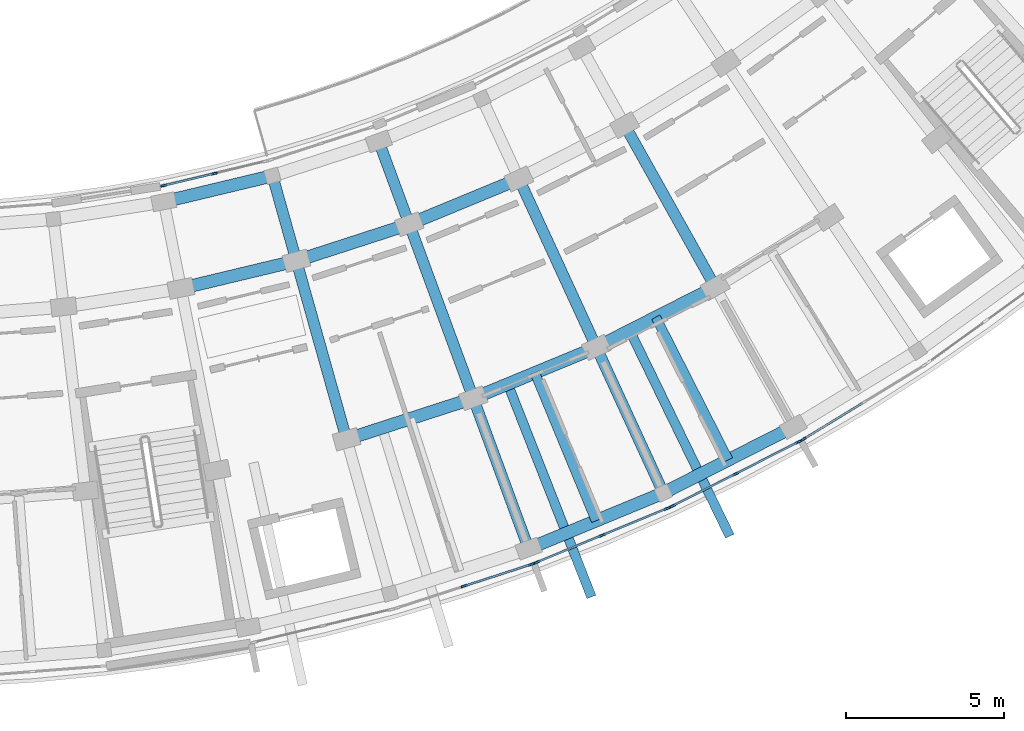
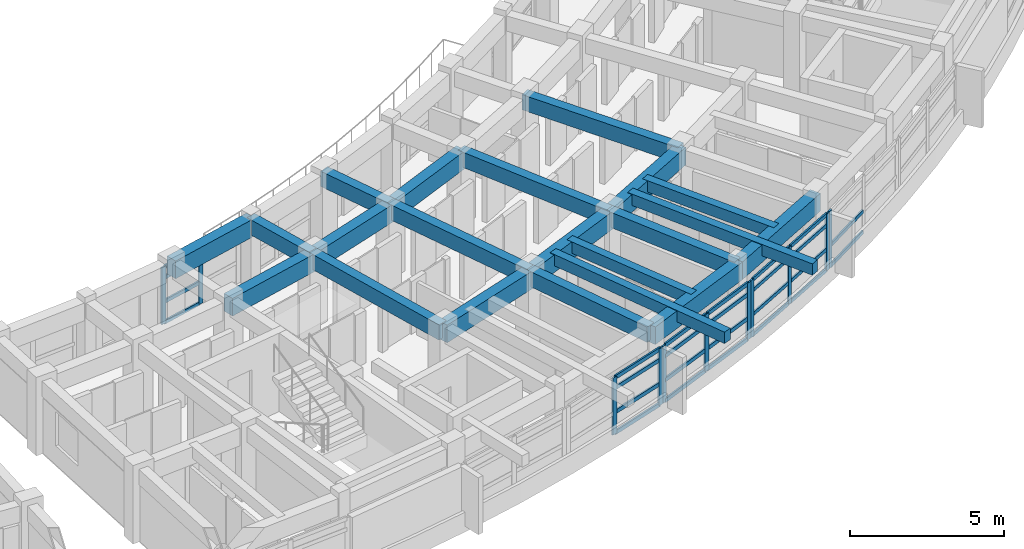
# One storey, part 17 of 56: 37 members, 21 beams, 5 elements without a shape of their own.
"""IFC4 building model written with IfcOpenShell, lengths in metres."""

from ifc_helpers import new_model, si_unit, direction, frame, origin, origin_2d, place, context, subcontext, project, spatial, rectangle, extrude, material, material_profile, profile_set, type_object, element, aggregate, save


model = new_model("IFC4")

# Units and contexts
model_context = context("Model", 3, precision=1e-05, world=origin(), true_north=direction((0.0, 1.0)))
body_context = subcontext(model_context, "Body", "Model", "MODEL_VIEW")
ifc_project = project(units=[si_unit("LENGTHUNIT", "METRE"), si_unit("AREAUNIT", "SQUARE_METRE"), si_unit("VOLUMEUNIT", "CUBIC_METRE"), si_unit("PLANEANGLEUNIT", "RADIAN"), si_unit("MASSUNIT", "GRAM", prefix="KILO")], contexts=[model_context])

# Site, building, storey
site_placement = place(None, origin())
site = spatial("IfcSite", under=ifc_project, at=site_placement, CompositionType="ELEMENT")
building_placement = place(site_placement, origin())
building = spatial("IfcBuilding", under=site, at=building_placement, Name="Zimvara Arc Housing Community", CompositionType="ELEMENT")
storey_placement = place(building_placement, frame((0.0, 0.0, 17.39990234375)))
storey = spatial("IfcBuildingStorey", under=building, at=storey_placement, Name="L05", CompositionType="ELEMENT", Elevation=17.39990234375)

# Beams
ifc_material_1 = material(Name="Concrete C40/50", Category="concrete")
ifc_material_profile_1 = material_profile(ifc_material_1, rectangle(XDim=0.300048828125, YDim=0.449951171875, at=origin_2d()), Name="RC 300x450")
ifc_profile_set_1 = profile_set([ifc_material_profile_1], Name="Concrete C40/50")
beam_type_1 = type_object("IfcBeamType", Name="BM-RC-300x450", PredefinedType="JOIST", material=ifc_profile_set_1)
beam_1_placement = place(storey_placement, frame((146.509033203125, 60.17578125, 2.64501953125), z_axis=(0.381881623909, -0.924211244966, 0.0), x_axis=(0.924211244966, 0.381881623909, 0.0)))
element("IfcBeam", 1, at=beam_1_placement, inside=storey, type_object=beam_type_1, Name="bm:blkD:L05:joist:b4", PredefinedType="JOIST", context=body_context, shape_type="SweptSolid", body=[
    extrude(rectangle(XDim=0.300048828125, YDim=0.449951171875, at=origin_2d()), origin(), (0.0, 0.0, 1.0), 5.076171875),
])
beam_2_placement = place(storey_placement, frame((150.343994140625, 61.939453125, 2.64501953125), z_axis=(0.453225300679, -0.891395998883, 0.0), x_axis=(0.891395998883, 0.453225300679, 0.0)))
element("IfcBeam", 2, at=beam_2_placement, inside=storey, type_object=beam_type_1, Name="bm:blkD:L05:joist:b5", PredefinedType="JOIST", context=body_context, shape_type="SweptSolid", body=[
    extrude(rectangle(XDim=0.300048828125, YDim=0.449951171875, at=origin_2d()), origin(), (0.0, 0.0, 1.0), 5.075927734375),
])
beam_3_placement = place(storey_placement, frame((145.662841796875, 59.789794921875, 2.6650390625), z_axis=(0.365839634119, -0.930677904598, 0.0), x_axis=(0.930677904598, 0.365839634119, 0.0)))
element("IfcBeam", 3, at=beam_3_placement, inside=storey, type_object=beam_type_1, Name="bm:blkD:L05:cant_out:b4", PredefinedType="JOIST", context=body_context, shape_type="SweptSolid", body=[
    extrude(rectangle(XDim=0.300048828125, YDim=0.449951171875, at=origin_2d()), origin(), (0.0, 0.0, 1.0), 7.219970703125),
])
beam_4_placement = place(storey_placement, frame((149.530517578125, 61.488525390625, 2.6650390625), z_axis=(0.437747988068, -0.89909771379, 0.0), x_axis=(0.89909771379, 0.437747988068, 0.0)))
element("IfcBeam", 4, at=beam_4_placement, inside=storey, type_object=beam_type_1, Name="bm:blkD:L05:cant_out:b5", PredefinedType="JOIST", context=body_context, shape_type="SweptSolid", body=[
    extrude(rectangle(XDim=0.300048828125, YDim=0.449951171875, at=origin_2d()), origin(), (0.0, 0.0, 1.0), 7.22021484375),
])
ifc_material_2 = material(Name="Concrete C40/50", Category="concrete")
ifc_material_profile_2 = material_profile(ifc_material_2, rectangle(XDim=0.35009765625, YDim=0.60009765625, at=origin_2d()), Name="RC 350x600")
ifc_profile_set_2 = profile_set([ifc_material_profile_2], Name="Concrete C40/50")
beam_type_2 = type_object("IfcBeamType", Name="BM-RC-350x600", PredefinedType="BEAM", material=ifc_profile_set_2)
beam_5_placement = place(storey_placement, frame((138.189453125, 66.42333984375, 2.570068359375), z_axis=(0.270642050381, -0.962680050986, 0.0), x_axis=(0.962680050986, 0.270642050381, 0.0)))
element("IfcBeam", 5, at=beam_5_placement, inside=storey, type_object=beam_type_2, Name="bm:blkD:L05:rad:b3:r01", PredefinedType="BEAM", context=body_context, shape_type="SweptSolid", body=[
    extrude(rectangle(XDim=0.35009765625, YDim=0.60009765625, at=origin_2d()), origin(), (0.0, 0.0, 1.0), 2.800048828125),
])
beam_6_placement = place(storey_placement, frame((138.947265625, 63.727783203125, 2.570068359375), z_axis=(0.270589260785, -0.962694890372, 0.0), x_axis=(0.962694890372, 0.270589260785, 0.0)))
element("IfcBeam", 6, at=beam_6_placement, inside=storey, type_object=beam_type_2, Name="bm:blkD:L05:rad:b3:r12", PredefinedType="BEAM", context=body_context, shape_type="SweptSolid", body=[
    extrude(rectangle(XDim=0.35009765625, YDim=0.60009765625, at=origin_2d()), origin(), (0.0, 0.0, 1.0), 5.8798828125),
])
beam_7_placement = place(storey_placement, frame((141.559814453125, 67.51513671875, 2.570068359375), z_axis=(0.345297205079, -0.93849338845, 0.0), x_axis=(0.93849338845, 0.345297205079, 0.0)))
element("IfcBeam", 7, at=beam_7_placement, inside=storey, type_object=beam_type_2, Name="bm:blkD:L05:rad:b4:r01", PredefinedType="BEAM", context=body_context, shape_type="SweptSolid", body=[
    extrude(rectangle(XDim=0.35009765625, YDim=0.60009765625, at=origin_2d()), origin(), (0.0, 0.0, 1.0), 2.7998046875),
])
beam_8_placement = place(storey_placement, frame((142.526611328125, 64.887451171875, 2.570068359375), z_axis=(0.345324356241, -0.938483398354, 0.0), x_axis=(0.938483398354, 0.345324356241, 0.0)))
element("IfcBeam", 8, at=beam_8_placement, inside=storey, type_object=beam_type_2, Name="bm:blkD:L05:rad:b4:r12", PredefinedType="BEAM", context=body_context, shape_type="SweptSolid", body=[
    extrude(rectangle(XDim=0.35009765625, YDim=0.60009765625, at=origin_2d()), origin(), (0.0, 0.0, 1.0), 5.880126953125),
])
beam_9_placement = place(storey_placement, frame((144.55712890625, 59.369140625, 2.570068359375), z_axis=(0.345302219392, -0.938491543533, 0.0), x_axis=(0.938491543533, 0.345302219392, 0.0)))
element("IfcBeam", 9, at=beam_9_placement, inside=storey, type_object=beam_type_2, Name="bm:blkD:L05:rad:b4:r23", PredefinedType="BEAM", context=body_context, shape_type="SweptSolid", body=[
    extrude(rectangle(XDim=0.35009765625, YDim=0.60009765625, at=origin_2d()), origin(), (0.0, 0.0, 1.0), 5.080078125),
])
beam_10_placement = place(storey_placement, frame((146.004150390625, 66.32421875, 2.570068359375), z_axis=(0.417862428621, -0.908510314056, 0.0), x_axis=(0.908510314056, 0.417862428621, 0.0)))
element("IfcBeam", 10, at=beam_10_placement, inside=storey, type_object=beam_type_2, Name="bm:blkD:L05:rad:b5:r12", PredefinedType="BEAM", context=body_context, shape_type="SweptSolid", body=[
    extrude(rectangle(XDim=0.35009765625, YDim=0.60009765625, at=origin_2d()), origin(), (0.0, 0.0, 1.0), 5.8798828125),
])
beam_11_placement = place(storey_placement, frame((148.461181640625, 60.982177734375, 2.570068359375), z_axis=(0.417872288794, -0.90850577888, 0.0), x_axis=(0.90850577888, 0.417872288794, 0.0)))
element("IfcBeam", 11, at=beam_11_placement, inside=storey, type_object=beam_type_2, Name="bm:blkD:L05:rad:b5:r23", PredefinedType="BEAM", context=body_context, shape_type="SweptSolid", body=[
    extrude(rectangle(XDim=0.35009765625, YDim=0.60009765625, at=origin_2d()), origin(), (0.0, 0.0, 1.0), 5.080078125),
])
beam_12_placement = place(storey_placement, frame((149.358154296875, 68.029541015625, 2.570068359375), z_axis=(0.487862302556, -0.872920599909, 0.0), x_axis=(0.872920599909, 0.487862302556, 0.0)))
element("IfcBeam", 12, at=beam_12_placement, inside=storey, type_object=beam_type_2, Name="bm:blkD:L05:rad:b6:r12", PredefinedType="BEAM", context=body_context, shape_type="SweptSolid", body=[
    extrude(rectangle(XDim=0.35009765625, YDim=0.60009765625, at=origin_2d()), origin(), (0.0, 0.0, 1.0), 5.880126953125),
])
ifc_material_3 = material(Name="Concrete C40/50", Category="concrete")
ifc_material_profile_3 = material_profile(ifc_material_3, rectangle(XDim=0.39990234375, YDim=0.699951171875, at=origin_2d()), Name="RC 400x700")
ifc_profile_set_3 = profile_set([ifc_material_profile_3], Name="Concrete C40/50")
beam_type_3 = type_object("IfcBeamType", Name="BM-RC-400x700", PredefinedType="BEAM", material=ifc_profile_set_3)
beam_13_placement = place(storey_placement, frame((134.743896484375, 65.599365234375, 2.52001953125), z_axis=(0.972576519525, 0.232583132813, 0.0), x_axis=(-0.232583132813, 0.972576519525, 0.0)))
element("IfcBeam", 13, at=beam_13_placement, inside=storey, type_object=beam_type_3, Name="bm:blkD:L05:chord:r0:b2", PredefinedType="BEAM", context=body_context, shape_type="SweptSolid", body=[
    extrude(rectangle(XDim=0.39990234375, YDim=0.699951171875, at=origin_2d()), origin(), (0.0, 0.0, 1.0), 3.542724609375),
])
beam_14_placement = place(storey_placement, frame((135.28759765625, 62.8525390625, 2.52001953125), z_axis=(0.97257251046, 0.232599896598, 0.0), x_axis=(-0.232599896598, 0.97257251046, 0.0)))
element("IfcBeam", 14, at=beam_14_placement, inside=storey, type_object=beam_type_3, Name="bm:blkD:L05:chord:r1:b2", PredefinedType="BEAM", context=body_context, shape_type="SweptSolid", body=[
    extrude(rectangle(XDim=0.39990234375, YDim=0.699951171875, at=origin_2d()), origin(), (0.0, 0.0, 1.0), 3.762939453125),
])
beam_15_placement = place(storey_placement, frame((138.947265625, 63.727783203125, 2.52001953125), z_axis=(0.951316439628, 0.308215884881, 0.0), x_axis=(-0.308215884881, 0.951316439628, 0.0)))
element("IfcBeam", 15, at=beam_15_placement, inside=storey, type_object=beam_type_3, Name="bm:blkD:L05:chord:r1:b3", PredefinedType="BEAM", context=body_context, shape_type="SweptSolid", body=[
    extrude(rectangle(XDim=0.39990234375, YDim=0.699951171875, at=origin_2d()), origin(), (0.0, 0.0, 1.0), 3.762451171875),
])
beam_16_placement = place(storey_placement, frame((142.526611328125, 64.887451171875, 2.52001953125), z_axis=(0.924224591922, 0.381849320658, 0.0), x_axis=(-0.381849320658, 0.924224591922, 0.0)))
element("IfcBeam", 16, at=beam_16_placement, inside=storey, type_object=beam_type_3, Name="bm:blkD:L05:chord:r1:b4", PredefinedType="BEAM", context=body_context, shape_type="SweptSolid", body=[
    extrude(rectangle(XDim=0.39990234375, YDim=0.699951171875, at=origin_2d()), origin(), (0.0, 0.0, 1.0), 3.7626953125),
])
beam_17_placement = place(storey_placement, frame((140.538330078125, 58.067138671875, 2.52001953125), z_axis=(0.951319487454, 0.308206477528, 0.0), x_axis=(-0.308206477528, 0.951319487454, 0.0)))
element("IfcBeam", 17, at=beam_17_placement, inside=storey, type_object=beam_type_3, Name="bm:blkD:L05:chord:r2:b3", PredefinedType="BEAM", context=body_context, shape_type="SweptSolid", body=[
    extrude(rectangle(XDim=0.39990234375, YDim=0.699951171875, at=origin_2d()), origin(), (0.0, 0.0, 1.0), 4.224365234375),
])
beam_18_placement = place(storey_placement, frame((144.55712890625, 59.369140625, 2.52001953125), z_axis=(0.924220191381, 0.381859971512, 0.0), x_axis=(-0.381859971512, 0.924220191381, 0.0)))
element("IfcBeam", 18, at=beam_18_placement, inside=storey, type_object=beam_type_3, Name="bm:blkD:L05:chord:r2:b4", PredefinedType="BEAM", context=body_context, shape_type="SweptSolid", body=[
    extrude(rectangle(XDim=0.39990234375, YDim=0.699951171875, at=origin_2d()), origin(), (0.0, 0.0, 1.0), 4.22412109375),
])
beam_19_placement = place(storey_placement, frame((148.461181640625, 60.982177734375, 2.52001953125), z_axis=(0.891401751243, 0.453213986855, 0.0), x_axis=(-0.453213986855, 0.891401751243, 0.0)))
element("IfcBeam", 19, at=beam_19_placement, inside=storey, type_object=beam_type_3, Name="bm:blkD:L05:chord:r2:b5", PredefinedType="BEAM", context=body_context, shape_type="SweptSolid", body=[
    extrude(rectangle(XDim=0.39990234375, YDim=0.699951171875, at=origin_2d()), origin(), (0.0, 0.0, 1.0), 4.224365234375),
])
beam_20_placement = place(storey_placement, frame((146.311279296875, 54.6015625, 2.52001953125), z_axis=(0.924218077134, 0.38186508861, 0.0), x_axis=(-0.38186508861, 0.924218077134, 0.0)))
element("IfcBeam", 20, at=beam_20_placement, inside=storey, type_object=beam_type_3, Name="bm:blkD:L05:chord:r3:b4", PredefinedType="BEAM", context=body_context, shape_type="SweptSolid", body=[
    extrude(rectangle(XDim=0.39990234375, YDim=0.699951171875, at=origin_2d()), origin(), (0.0, 0.0, 1.0), 4.623046875),
])
beam_21_placement = place(storey_placement, frame((150.583984375, 56.366943359375, 2.52001953125), z_axis=(0.891386215037, 0.453244542871, 0.0), x_axis=(-0.453244542871, 0.891386215037, 0.0)))
element("IfcBeam", 21, at=beam_21_placement, inside=storey, type_object=beam_type_3, Name="bm:blkD:L05:chord:r3:b5", PredefinedType="BEAM", context=body_context, shape_type="SweptSolid", body=[
    extrude(rectangle(XDim=0.39990234375, YDim=0.699951171875, at=origin_2d()), origin(), (0.0, 0.0, 1.0), 4.623291015625),
])

# Curtain wall, members
ifc_material_4 = material(Name="Anodised Aluminium AW-6063", Category="aluminium")
curtain_wall_type_1 = type_object("IfcCurtainWallType", Name="CW-SYS-02", PredefinedType="USERDEFINED", material=ifc_material_4)
curtain_wall_1_placement = place(storey_placement, origin())
curtain_wall_1 = element("IfcCurtainWall", 22, at=curtain_wall_1_placement, inside=storey, type_object=curtain_wall_type_1, Name="cw:blkD:L05:in:b2", ObjectType="CURTAIN WALL", PredefinedType="USERDEFINED")
ifc_material_5 = material(Name="Anodised Aluminium AW-6063", Category="aluminium")
ifc_material_profile_4 = material_profile(ifc_material_5, rectangle(XDim=0.06494140625, YDim=0.179931640625, at=origin_2d()), Name="ALU 65x180")
ifc_profile_set_4 = profile_set([ifc_material_profile_4], Name="Anodised Aluminium AW-6063")
member_type_1 = type_object("IfcMemberType", Name="CWM-65x150", PredefinedType="MULLION", material=ifc_profile_set_4)
member_1_placement = place(storey_placement, frame((134.73681640625, 66.111328125, 0.0), z_axis=(0.0, 0.0, 1.0), x_axis=(-0.232596003485, 0.972573441526, 0.0)))
member_1 = element("IfcMember", 23, at=member_1_placement, type_object=member_type_1, Name="CW02 mullion 1", PredefinedType="MULLION", context=body_context, shape_type="SweptSolid", body=[
    extrude(rectangle(XDim=0.06494140625, YDim=0.179931640625, at=origin_2d()), origin(), (0.0, 0.0, 1.0), 2.25),
])
member_2_placement = place(storey_placement, frame((136.3505859375, 66.497314453125, 0.0), z_axis=(0.0, 0.0, 1.0), x_axis=(-0.232596003485, 0.972573441526, 0.0)))
member_2 = element("IfcMember", 24, at=member_2_placement, type_object=member_type_1, Name="CW02 mullion 2", PredefinedType="MULLION", context=body_context, shape_type="SweptSolid", body=[
    extrude(rectangle(XDim=0.06494140625, YDim=0.179931640625, at=origin_2d()), origin(), (0.0, 0.0, 1.0), 2.25),
])

ifc_material_6 = material(Name="Anodised Aluminium AW-6063", Category="aluminium")
curtain_wall_type_2 = type_object("IfcCurtainWallType", Name="CW-SYS-06", PredefinedType="USERDEFINED", material=ifc_material_6)
curtain_wall_2_placement = place(storey_placement, origin())
curtain_wall_2 = element("IfcCurtainWall", 25, at=curtain_wall_2_placement, inside=storey, type_object=curtain_wall_type_2, Name="cw:blkD:L05:out:b5", ObjectType="CURTAIN WALL", PredefinedType="USERDEFINED")
member_3_placement = place(storey_placement, frame((150.87548828125, 55.95458984375, 0.0), z_axis=(0.0, 0.0, 1.0), x_axis=(-0.453211662605, 0.891402932954, 0.0)))
member_3 = element("IfcMember", 26, at=member_3_placement, type_object=member_type_1, Name="CW06 mullion 1", PredefinedType="MULLION", context=body_context, shape_type="SweptSolid", body=[
    extrude(rectangle(XDim=0.06494140625, YDim=0.179931640625, at=origin_2d()), origin(), (0.0, 0.0, 1.0), 2.25),
])
member_4_placement = place(storey_placement, frame((152.87109375, 56.96923828125, 0.0), z_axis=(0.0, 0.0, 1.0), x_axis=(-0.453211662605, 0.891402932954, 0.0)))
member_4 = element("IfcMember", 27, at=member_4_placement, type_object=member_type_1, Name="CW06 mullion 2", PredefinedType="MULLION", context=body_context, shape_type="SweptSolid", body=[
    extrude(rectangle(XDim=0.06494140625, YDim=0.179931640625, at=origin_2d()), origin(), (0.0, 0.0, 1.0), 2.25),
])
member_5_placement = place(storey_placement, frame((154.86669921875, 57.98388671875, 0.0), z_axis=(0.0, 0.0, 1.0), x_axis=(-0.453211662605, 0.891402932954, 0.0)))
member_5 = element("IfcMember", 28, at=member_5_placement, type_object=member_type_1, Name="CW06 mullion 3", PredefinedType="MULLION", context=body_context, shape_type="SweptSolid", body=[
    extrude(rectangle(XDim=0.06494140625, YDim=0.179931640625, at=origin_2d()), origin(), (0.0, 0.0, 1.0), 2.25),
])

# Curtain wall, member
ifc_material_7 = material(Name="Anodised Aluminium AW-6063", Category="aluminium")
curtain_wall_type_3 = type_object("IfcCurtainWallType", Name="CW-SYS-08", PredefinedType="USERDEFINED", material=ifc_material_7)
curtain_wall_3_placement = place(storey_placement, origin())
curtain_wall_3 = element("IfcCurtainWall", 29, at=curtain_wall_3_placement, inside=storey, type_object=curtain_wall_type_3, Name="cw:blkD:L05:out:b6", ObjectType="CURTAIN WALL", PredefinedType="USERDEFINED")
member_6_placement = place(storey_placement, frame((155.028076171875, 58.07421875, 0.0), z_axis=(0.0, 0.0, 1.0), x_axis=(-0.521754248513, 0.853095835272, 0.0)))
member_6 = element("IfcMember", 30, at=member_6_placement, type_object=member_type_1, Name="CW08 mullion 1", PredefinedType="MULLION", context=body_context, shape_type="SweptSolid", body=[
    extrude(rectangle(XDim=0.06494140625, YDim=0.179931640625, at=origin_2d()), origin(), (0.0, 0.0, 1.0), 2.25),
])

# Curtain wall, members
ifc_material_8 = material(Name="Anodised Aluminium AW-6063", Category="aluminium")
curtain_wall_type_4 = type_object("IfcCurtainWallType", Name="CW-SYS-03", PredefinedType="USERDEFINED", material=ifc_material_8)
curtain_wall_4_placement = place(storey_placement, origin())
curtain_wall_4 = element("IfcCurtainWall", 31, at=curtain_wall_4_placement, inside=storey, type_object=curtain_wall_type_4, Name="cw:blkD:L05:out:b3", ObjectType="CURTAIN WALL", PredefinedType="USERDEFINED")
ifc_material_9 = material(Name="Anodised Aluminium AW-6063", Category="aluminium")
ifc_material_profile_5 = material_profile(ifc_material_9, rectangle(XDim=0.06494140625, YDim=0.195068359375, at=origin_2d()), Name="ALU 65x195")
ifc_profile_set_5 = profile_set([ifc_material_profile_5], Name="Anodised Aluminium AW-6063")
member_type_2 = type_object("IfcMemberType", Name="CWM-65x180", PredefinedType="MULLION", material=ifc_profile_set_5)
member_7_placement = place(storey_placement, frame((144.26611328125, 53.413818359375, 0.0), z_axis=(0.0, 0.0, 1.0), x_axis=(-0.308184952203, 0.951326460914, 0.0)))
member_7 = element("IfcMember", 32, at=member_7_placement, type_object=member_type_2, Name="CW03 mullion 2", PredefinedType="MULLION", context=body_context, shape_type="SweptSolid", body=[
    extrude(rectangle(XDim=0.06494140625, YDim=0.195068359375, at=origin_2d()), origin(), (0.0, 0.0, 1.0), 2.25),
])
member_8_placement = place(storey_placement, frame((146.395751953125, 54.103759765625, 0.0), z_axis=(0.0, 0.0, 1.0), x_axis=(-0.308184952203, 0.951326460914, 0.0)))
member_8 = element("IfcMember", 33, at=member_8_placement, type_object=member_type_2, Name="CW03 mullion 3", PredefinedType="MULLION", context=body_context, shape_type="SweptSolid", body=[
    extrude(rectangle(XDim=0.06494140625, YDim=0.195068359375, at=origin_2d()), origin(), (0.0, 0.0, 1.0), 2.25),
])

ifc_material_10 = material(Name="Anodised Aluminium AW-6063", Category="aluminium")
curtain_wall_type_5 = type_object("IfcCurtainWallType", Name="CW-SYS-05", PredefinedType="USERDEFINED", material=ifc_material_10)
curtain_wall_5_placement = place(storey_placement, origin())
curtain_wall_5 = element("IfcCurtainWall", 34, at=curtain_wall_5_placement, inside=storey, type_object=curtain_wall_type_5, Name="cw:blkD:L05:out:b4", ObjectType="CURTAIN WALL", PredefinedType="USERDEFINED")
member_9_placement = place(storey_placement, frame((146.5693359375, 54.167724609375, 0.0), z_axis=(0.0, 0.0, 1.0), x_axis=(-0.38187646221, 0.924213377749, 0.0)))
member_9 = element("IfcMember", 35, at=member_9_placement, type_object=member_type_2, Name="CW05 mullion 1", PredefinedType="MULLION", context=body_context, shape_type="SweptSolid", body=[
    extrude(rectangle(XDim=0.06494140625, YDim=0.195068359375, at=origin_2d()), origin(), (0.0, 0.0, 1.0), 2.25),
])
member_10_placement = place(storey_placement, frame((148.638427734375, 55.0224609375, 0.0), z_axis=(0.0, 0.0, 1.0), x_axis=(-0.38187646221, 0.924213377749, 0.0)))
member_10 = element("IfcMember", 36, at=member_10_placement, type_object=member_type_2, Name="CW05 mullion 2", PredefinedType="MULLION", context=body_context, shape_type="SweptSolid", body=[
    extrude(rectangle(XDim=0.06494140625, YDim=0.195068359375, at=origin_2d()), origin(), (0.0, 0.0, 1.0), 2.25),
])
member_11_placement = place(storey_placement, frame((150.70751953125, 55.87744140625, 0.0), z_axis=(0.0, 0.0, 1.0), x_axis=(-0.38187646221, 0.924213377749, 0.0)))
member_11 = element("IfcMember", 37, at=member_11_placement, type_object=member_type_2, Name="CW05 mullion 3", PredefinedType="MULLION", context=body_context, shape_type="SweptSolid", body=[
    extrude(rectangle(XDim=0.06494140625, YDim=0.195068359375, at=origin_2d()), origin(), (0.0, 0.0, 1.0), 2.25),
])

# Member
ifc_material_11 = material(Name="Anodised Aluminium AW-6063", Category="aluminium")
ifc_material_profile_6 = material_profile(ifc_material_11, rectangle(XDim=0.06494140625, YDim=0.139892578125, at=origin_2d()), Name="ALU 65x140")
ifc_profile_set_6 = profile_set([ifc_material_profile_6], Name="Anodised Aluminium AW-6063")
member_type_3 = type_object("IfcMemberType", Name="CWT-65x120", PredefinedType="USERDEFINED", material=ifc_profile_set_6)
member_12_placement = place(storey_placement, frame((134.768310546875, 66.118896484375, 0.03271484375), z_axis=(0.972569101566, 0.232614149784, 0.0), x_axis=(-0.232614149784, 0.972569101566, 0.0)))
member_12 = element("IfcMember", 38, at=member_12_placement, type_object=member_type_3, Name="CW02 transom 1.1", ObjectType="TRANSOM", PredefinedType="USERDEFINED", context=body_context, shape_type="SweptSolid", body=[
    extrude(rectangle(XDim=0.06494140625, YDim=0.139892578125, at=origin_2d()), origin(), (0.0, 0.0, 1.0), 1.59423828125),
])

member_13_placement = place(storey_placement, frame((134.768310546875, 66.118896484375, 0.85009765625), z_axis=(0.972569101566, 0.232614149784, 0.0), x_axis=(-0.232614149784, 0.972569101566, 0.0)))
member_13 = element("IfcMember", 39, at=member_13_placement, type_object=member_type_3, Name="CW02 transom 1.2", ObjectType="TRANSOM", PredefinedType="USERDEFINED", context=body_context, shape_type="SweptSolid", body=[
    extrude(rectangle(XDim=0.06494140625, YDim=0.139892578125, at=origin_2d()), origin(), (0.0, 0.0, 1.0), 1.59423828125),
])

member_14_placement = place(storey_placement, frame((134.768310546875, 66.118896484375, 1.800048828125), z_axis=(0.972569101566, 0.232614149784, 0.0), x_axis=(-0.232614149784, 0.972569101566, 0.0)))
member_14 = element("IfcMember", 40, at=member_14_placement, type_object=member_type_3, Name="CW02 transom 1.3", ObjectType="TRANSOM", PredefinedType="USERDEFINED", context=body_context, shape_type="SweptSolid", body=[
    extrude(rectangle(XDim=0.06494140625, YDim=0.139892578125, at=origin_2d()), origin(), (0.0, 0.0, 1.0), 1.59423828125),
])

member_15_placement = place(storey_placement, frame((134.768310546875, 66.118896484375, 2.217529296875), z_axis=(0.972569101566, 0.232614149784, 0.0), x_axis=(-0.232614149784, 0.972569101566, 0.0)))
member_15 = element("IfcMember", 41, at=member_15_placement, type_object=member_type_3, Name="CW02 transom 1.4", ObjectType="TRANSOM", PredefinedType="USERDEFINED", context=body_context, shape_type="SweptSolid", body=[
    extrude(rectangle(XDim=0.06494140625, YDim=0.139892578125, at=origin_2d()), origin(), (0.0, 0.0, 1.0), 1.59423828125),
])

aggregate(curtain_wall_1, [member_1, member_2, member_12, member_13, member_14, member_15])

member_16_placement = place(storey_placement, frame((150.904296875, 55.969482421875, 0.03271484375), z_axis=(0.891419736395, 0.453178611107, 0.0), x_axis=(-0.453178611107, 0.891419736395, 0.0)))
member_16 = element("IfcMember", 42, at=member_16_placement, type_object=member_type_3, Name="CW06 transom 1.1", ObjectType="TRANSOM", PredefinedType="USERDEFINED", context=body_context, shape_type="SweptSolid", body=[
    extrude(rectangle(XDim=0.06494140625, YDim=0.139892578125, at=origin_2d()), origin(), (0.0, 0.0, 1.0), 2.173828125),
])

member_17_placement = place(storey_placement, frame((150.904296875, 55.969482421875, 0.85009765625), z_axis=(0.891419736395, 0.453178611107, 0.0), x_axis=(-0.453178611107, 0.891419736395, 0.0)))
member_17 = element("IfcMember", 43, at=member_17_placement, type_object=member_type_3, Name="CW06 transom 1.2", ObjectType="TRANSOM", PredefinedType="USERDEFINED", context=body_context, shape_type="SweptSolid", body=[
    extrude(rectangle(XDim=0.06494140625, YDim=0.139892578125, at=origin_2d()), origin(), (0.0, 0.0, 1.0), 2.173828125),
])

member_18_placement = place(storey_placement, frame((150.904296875, 55.969482421875, 1.800048828125), z_axis=(0.891419736395, 0.453178611107, 0.0), x_axis=(-0.453178611107, 0.891419736395, 0.0)))
member_18 = element("IfcMember", 44, at=member_18_placement, type_object=member_type_3, Name="CW06 transom 1.3", ObjectType="TRANSOM", PredefinedType="USERDEFINED", context=body_context, shape_type="SweptSolid", body=[
    extrude(rectangle(XDim=0.06494140625, YDim=0.139892578125, at=origin_2d()), origin(), (0.0, 0.0, 1.0), 2.173828125),
])

member_19_placement = place(storey_placement, frame((150.904296875, 55.969482421875, 2.217529296875), z_axis=(0.891419736395, 0.453178611107, 0.0), x_axis=(-0.453178611107, 0.891419736395, 0.0)))
member_19 = element("IfcMember", 45, at=member_19_placement, type_object=member_type_3, Name="CW06 transom 1.4", ObjectType="TRANSOM", PredefinedType="USERDEFINED", context=body_context, shape_type="SweptSolid", body=[
    extrude(rectangle(XDim=0.06494140625, YDim=0.139892578125, at=origin_2d()), origin(), (0.0, 0.0, 1.0), 2.173828125),
])

member_20_placement = place(storey_placement, frame((152.89990234375, 56.984130859375, 0.03271484375), z_axis=(0.891419736395, 0.453178611107, 0.0), x_axis=(-0.453178611107, 0.891419736395, 0.0)))
member_20 = element("IfcMember", 46, at=member_20_placement, type_object=member_type_3, Name="CW06 transom 2.1", ObjectType="TRANSOM", PredefinedType="USERDEFINED", context=body_context, shape_type="SweptSolid", body=[
    extrude(rectangle(XDim=0.06494140625, YDim=0.139892578125, at=origin_2d()), origin(), (0.0, 0.0, 1.0), 2.173828125),
])

member_21_placement = place(storey_placement, frame((152.89990234375, 56.984130859375, 0.85009765625), z_axis=(0.891419736395, 0.453178611107, 0.0), x_axis=(-0.453178611107, 0.891419736395, 0.0)))
member_21 = element("IfcMember", 47, at=member_21_placement, type_object=member_type_3, Name="CW06 transom 2.2", ObjectType="TRANSOM", PredefinedType="USERDEFINED", context=body_context, shape_type="SweptSolid", body=[
    extrude(rectangle(XDim=0.06494140625, YDim=0.139892578125, at=origin_2d()), origin(), (0.0, 0.0, 1.0), 2.173828125),
])

member_22_placement = place(storey_placement, frame((152.89990234375, 56.984130859375, 1.800048828125), z_axis=(0.891419736395, 0.453178611107, 0.0), x_axis=(-0.453178611107, 0.891419736395, 0.0)))
member_22 = element("IfcMember", 48, at=member_22_placement, type_object=member_type_3, Name="CW06 transom 2.3", ObjectType="TRANSOM", PredefinedType="USERDEFINED", context=body_context, shape_type="SweptSolid", body=[
    extrude(rectangle(XDim=0.06494140625, YDim=0.139892578125, at=origin_2d()), origin(), (0.0, 0.0, 1.0), 2.173828125),
])

member_23_placement = place(storey_placement, frame((152.89990234375, 56.984130859375, 2.217529296875), z_axis=(0.891419736395, 0.453178611107, 0.0), x_axis=(-0.453178611107, 0.891419736395, 0.0)))
member_23 = element("IfcMember", 49, at=member_23_placement, type_object=member_type_3, Name="CW06 transom 2.4", ObjectType="TRANSOM", PredefinedType="USERDEFINED", context=body_context, shape_type="SweptSolid", body=[
    extrude(rectangle(XDim=0.06494140625, YDim=0.139892578125, at=origin_2d()), origin(), (0.0, 0.0, 1.0), 2.173828125),
])

aggregate(curtain_wall_2, [member_3, member_4, member_5, member_16, member_17, member_18, member_19, member_20, member_21, member_22, member_23])

member_24_placement = place(storey_placement, frame((155.0556640625, 58.091064453125, 0.03271484375), z_axis=(0.85308189023, 0.521777048711, 0.0), x_axis=(-0.521777048711, 0.85308189023, 0.0)))
member_24 = element("IfcMember", 50, at=member_24_placement, type_object=member_type_3, Name="CW08 transom 1.1", ObjectType="TRANSOM", PredefinedType="USERDEFINED", context=body_context, shape_type="SweptSolid", body=[
    extrude(rectangle(XDim=0.06494140625, YDim=0.139892578125, at=origin_2d()), origin(), (0.0, 0.0, 1.0), 2.173828125),
])

member_25_placement = place(storey_placement, frame((155.0556640625, 58.091064453125, 0.85009765625), z_axis=(0.85308189023, 0.521777048711, 0.0), x_axis=(-0.521777048711, 0.85308189023, 0.0)))
member_25 = element("IfcMember", 51, at=member_25_placement, type_object=member_type_3, Name="CW08 transom 1.2", ObjectType="TRANSOM", PredefinedType="USERDEFINED", context=body_context, shape_type="SweptSolid", body=[
    extrude(rectangle(XDim=0.06494140625, YDim=0.139892578125, at=origin_2d()), origin(), (0.0, 0.0, 1.0), 2.173828125),
])

aggregate(curtain_wall_3, [member_6, member_24, member_25])

ifc_material_12 = material(Name="Anodised Aluminium AW-6063", Category="aluminium")
ifc_material_profile_7 = material_profile(ifc_material_12, rectangle(XDim=0.06494140625, YDim=0.155029296875, at=origin_2d()), Name="ALU 65x155")
ifc_profile_set_7 = profile_set([ifc_material_profile_7], Name="Anodised Aluminium AW-6063")
member_type_4 = type_object("IfcMemberType", Name="CWT-65x140", PredefinedType="USERDEFINED", material=ifc_profile_set_7)
member_26_placement = place(storey_placement, frame((144.296875, 53.423828125, 0.03271484375), z_axis=(0.951333207036, 0.308164127034, 0.0), x_axis=(-0.308164127034, 0.951333207036, 0.0)))
member_26 = element("IfcMember", 52, at=member_26_placement, type_object=member_type_4, Name="CW03 transom 2.1", ObjectType="TRANSOM", PredefinedType="USERDEFINED", context=body_context, shape_type="SweptSolid", body=[
    extrude(rectangle(XDim=0.06494140625, YDim=0.155029296875, at=origin_2d()), origin(), (0.0, 0.0, 1.0), 2.173828125),
])

member_27_placement = place(storey_placement, frame((144.296875, 53.423828125, 0.85009765625), z_axis=(0.951333207036, 0.308164127034, 0.0), x_axis=(-0.308164127034, 0.951333207036, 0.0)))
member_27 = element("IfcMember", 53, at=member_27_placement, type_object=member_type_4, Name="CW03 transom 2.2", ObjectType="TRANSOM", PredefinedType="USERDEFINED", context=body_context, shape_type="SweptSolid", body=[
    extrude(rectangle(XDim=0.06494140625, YDim=0.155029296875, at=origin_2d()), origin(), (0.0, 0.0, 1.0), 2.173828125),
])

member_28_placement = place(storey_placement, frame((144.296875, 53.423828125, 1.800048828125), z_axis=(0.951333207036, 0.308164127034, 0.0), x_axis=(-0.308164127034, 0.951333207036, 0.0)))
member_28 = element("IfcMember", 54, at=member_28_placement, type_object=member_type_4, Name="CW03 transom 2.3", ObjectType="TRANSOM", PredefinedType="USERDEFINED", context=body_context, shape_type="SweptSolid", body=[
    extrude(rectangle(XDim=0.06494140625, YDim=0.155029296875, at=origin_2d()), origin(), (0.0, 0.0, 1.0), 2.173828125),
])

member_29_placement = place(storey_placement, frame((144.296875, 53.423828125, 2.217529296875), z_axis=(0.951333207036, 0.308164127034, 0.0), x_axis=(-0.308164127034, 0.951333207036, 0.0)))
member_29 = element("IfcMember", 55, at=member_29_placement, type_object=member_type_4, Name="CW03 transom 2.4", ObjectType="TRANSOM", PredefinedType="USERDEFINED", context=body_context, shape_type="SweptSolid", body=[
    extrude(rectangle(XDim=0.06494140625, YDim=0.155029296875, at=origin_2d()), origin(), (0.0, 0.0, 1.0), 2.173828125),
])

aggregate(curtain_wall_4, [member_7, member_8, member_26, member_27, member_28, member_29])

member_30_placement = place(storey_placement, frame((146.599365234375, 54.179931640625, 0.03271484375), z_axis=(0.924219207316, 0.381862353248, 0.0), x_axis=(-0.381862353248, 0.924219207316, 0.0)))
member_30 = element("IfcMember", 56, at=member_30_placement, type_object=member_type_4, Name="CW05 transom 1.1", ObjectType="TRANSOM", PredefinedType="USERDEFINED", context=body_context, shape_type="SweptSolid", body=[
    extrude(rectangle(XDim=0.06494140625, YDim=0.155029296875, at=origin_2d()), origin(), (0.0, 0.0, 1.0), 2.173828125),
])

member_31_placement = place(storey_placement, frame((146.599365234375, 54.179931640625, 0.85009765625), z_axis=(0.924219207316, 0.381862353248, 0.0), x_axis=(-0.381862353248, 0.924219207316, 0.0)))
member_31 = element("IfcMember", 57, at=member_31_placement, type_object=member_type_4, Name="CW05 transom 1.2", ObjectType="TRANSOM", PredefinedType="USERDEFINED", context=body_context, shape_type="SweptSolid", body=[
    extrude(rectangle(XDim=0.06494140625, YDim=0.155029296875, at=origin_2d()), origin(), (0.0, 0.0, 1.0), 2.173828125),
])

member_32_placement = place(storey_placement, frame((146.599365234375, 54.179931640625, 1.800048828125), z_axis=(0.924219207316, 0.381862353248, 0.0), x_axis=(-0.381862353248, 0.924219207316, 0.0)))
member_32 = element("IfcMember", 58, at=member_32_placement, type_object=member_type_4, Name="CW05 transom 1.3", ObjectType="TRANSOM", PredefinedType="USERDEFINED", context=body_context, shape_type="SweptSolid", body=[
    extrude(rectangle(XDim=0.06494140625, YDim=0.155029296875, at=origin_2d()), origin(), (0.0, 0.0, 1.0), 2.173828125),
])

member_33_placement = place(storey_placement, frame((146.599365234375, 54.179931640625, 2.217529296875), z_axis=(0.924219207316, 0.381862353248, 0.0), x_axis=(-0.381862353248, 0.924219207316, 0.0)))
member_33 = element("IfcMember", 59, at=member_33_placement, type_object=member_type_4, Name="CW05 transom 1.4", ObjectType="TRANSOM", PredefinedType="USERDEFINED", context=body_context, shape_type="SweptSolid", body=[
    extrude(rectangle(XDim=0.06494140625, YDim=0.155029296875, at=origin_2d()), origin(), (0.0, 0.0, 1.0), 2.173828125),
])

member_34_placement = place(storey_placement, frame((148.66845703125, 55.034912109375, 0.03271484375), z_axis=(0.924219207316, 0.381862353248, 0.0), x_axis=(-0.381862353248, 0.924219207316, 0.0)))
member_34 = element("IfcMember", 60, at=member_34_placement, type_object=member_type_4, Name="CW05 transom 2.1", ObjectType="TRANSOM", PredefinedType="USERDEFINED", context=body_context, shape_type="SweptSolid", body=[
    extrude(rectangle(XDim=0.06494140625, YDim=0.155029296875, at=origin_2d()), origin(), (0.0, 0.0, 1.0), 2.173828125),
])

member_35_placement = place(storey_placement, frame((148.66845703125, 55.034912109375, 0.85009765625), z_axis=(0.924219207316, 0.381862353248, 0.0), x_axis=(-0.381862353248, 0.924219207316, 0.0)))
member_35 = element("IfcMember", 61, at=member_35_placement, type_object=member_type_4, Name="CW05 transom 2.2", ObjectType="TRANSOM", PredefinedType="USERDEFINED", context=body_context, shape_type="SweptSolid", body=[
    extrude(rectangle(XDim=0.06494140625, YDim=0.155029296875, at=origin_2d()), origin(), (0.0, 0.0, 1.0), 2.173828125),
])

member_36_placement = place(storey_placement, frame((148.66845703125, 55.034912109375, 1.800048828125), z_axis=(0.924219207316, 0.381862353248, 0.0), x_axis=(-0.381862353248, 0.924219207316, 0.0)))
member_36 = element("IfcMember", 62, at=member_36_placement, type_object=member_type_4, Name="CW05 transom 2.3", ObjectType="TRANSOM", PredefinedType="USERDEFINED", context=body_context, shape_type="SweptSolid", body=[
    extrude(rectangle(XDim=0.06494140625, YDim=0.155029296875, at=origin_2d()), origin(), (0.0, 0.0, 1.0), 2.173828125),
])

member_37_placement = place(storey_placement, frame((148.66845703125, 55.034912109375, 2.217529296875), z_axis=(0.924219207316, 0.381862353248, 0.0), x_axis=(-0.381862353248, 0.924219207316, 0.0)))
member_37 = element("IfcMember", 63, at=member_37_placement, type_object=member_type_4, Name="CW05 transom 2.4", ObjectType="TRANSOM", PredefinedType="USERDEFINED", context=body_context, shape_type="SweptSolid", body=[
    extrude(rectangle(XDim=0.06494140625, YDim=0.155029296875, at=origin_2d()), origin(), (0.0, 0.0, 1.0), 2.173828125),
])

aggregate(curtain_wall_5, [member_9, member_10, member_11, member_30, member_31, member_32, member_33, member_34, member_35, member_36, member_37])

save(model, "model.ifc")
